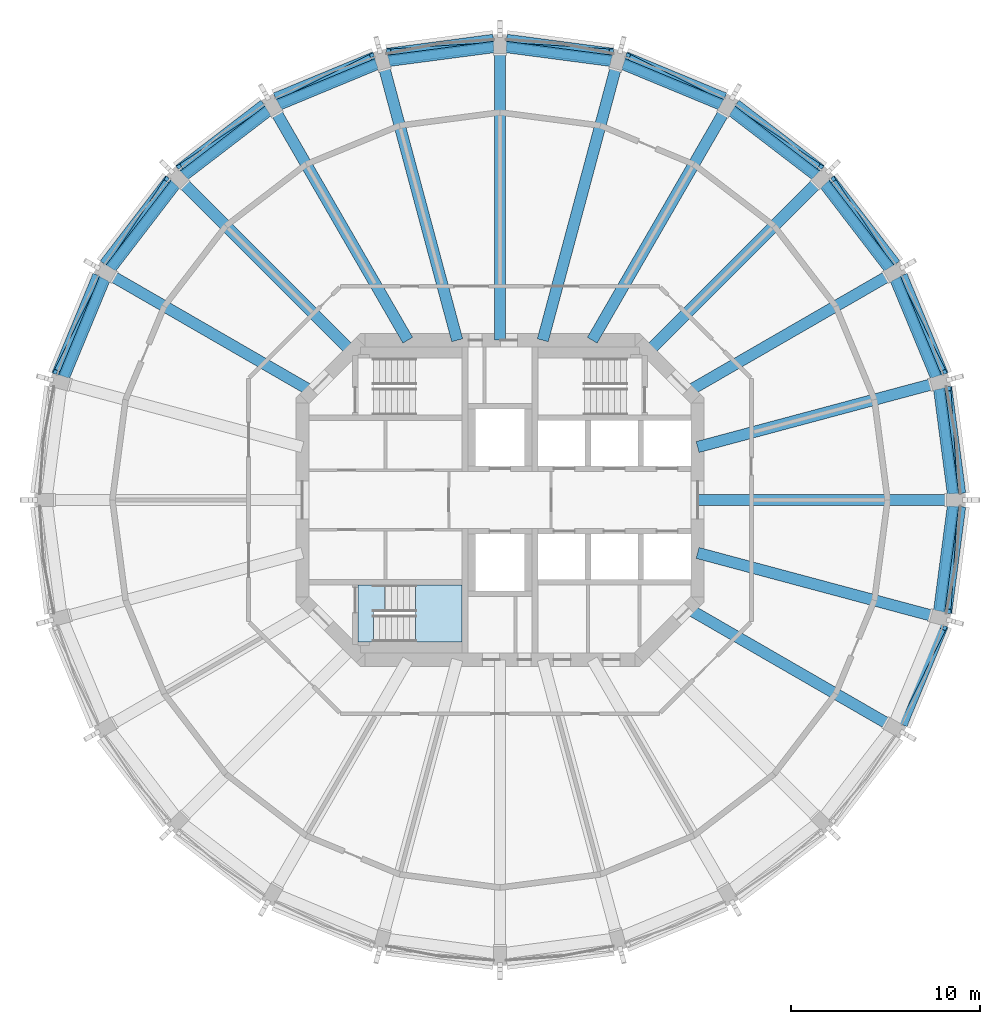
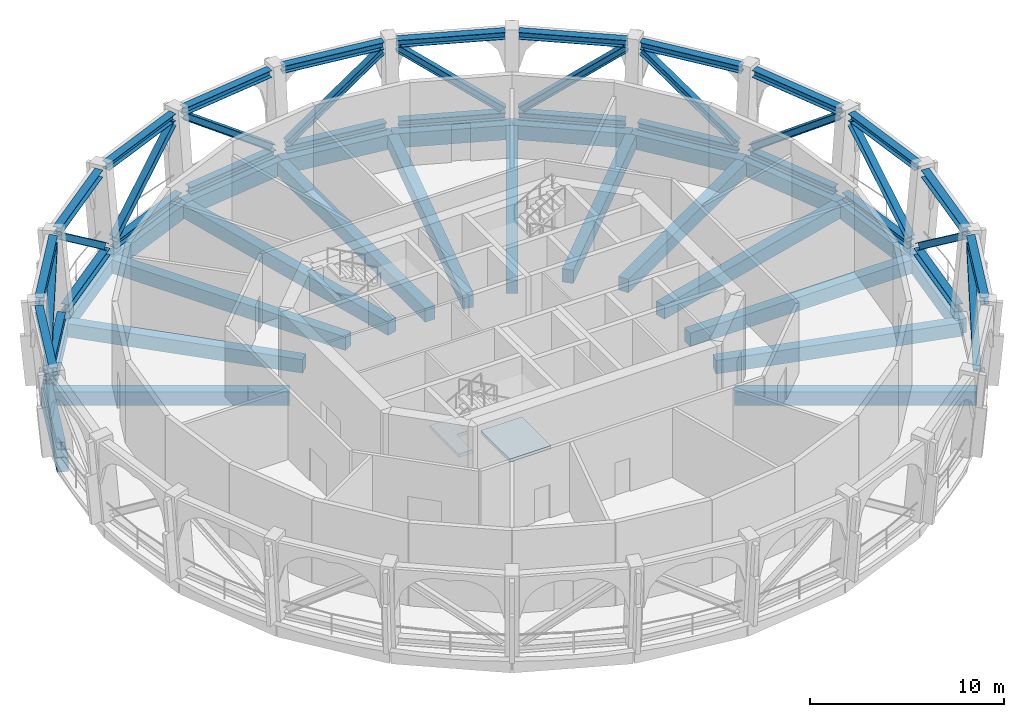
# One storey, part 2 of 9: 38 members, 25 beams, 2 slabs, 1 element without a shape of its own.
"""IFC4 building model written with IfcOpenShell, lengths in metres."""

from ifc_helpers import new_model, si_unit, direction, frame, origin, origin_2d, place, context, subcontext, project, spatial, polyline, rectangle, i_section, outline, extrude, material, layer, layer_set, material_profile, profile_set, type_object, element, aggregate, save


model = new_model("IFC4")

# Units and contexts
model_context = context("Model", 3, precision=1e-05, world=origin(), true_north=direction((0.0, 1.0)))
body_context = subcontext(model_context, "Body", "Model", "MODEL_VIEW")
ifc_project = project(units=[si_unit("LENGTHUNIT", "METRE"), si_unit("AREAUNIT", "SQUARE_METRE"), si_unit("VOLUMEUNIT", "CUBIC_METRE"), si_unit("PLANEANGLEUNIT", "RADIAN"), si_unit("MASSUNIT", "GRAM", prefix="KILO")], contexts=[model_context])

# Site, building, storey
site_placement = place(None, origin())
site = spatial("IfcSite", under=ifc_project, at=site_placement, CompositionType="ELEMENT")
building_placement = place(site_placement, origin())
building = spatial("IfcBuilding", under=site, at=building_placement, Name="Torre Triforio", CompositionType="ELEMENT")
storey_placement = place(building_placement, frame((0.0, 0.0, 248.300048828125)))
storey = spatial("IfcBuildingStorey", under=building, at=storey_placement, Name="L57", CompositionType="ELEMENT", Elevation=248.300048828125)

# Members
ifc_material_1 = material(Name="Steel ASTM A572 Gr 50", Category="steel")
ifc_material_profile_1 = material_profile(ifc_material_1, i_section(OverallWidth=0.449951171875, OverallDepth=0.449951171875, WebThickness=0.01611328125, FlangeThickness=0.0224609375, at=origin_2d()), Name="CS 450x209")
ifc_profile_set_1 = profile_set([ifc_material_profile_1], Name="Steel ASTM A572 Gr 50")
member_type_1 = type_object("IfcMemberType", Name="Belt truss chord CS 450x209", PredefinedType="CHORD", material=ifc_profile_set_1)
member_1_placement = place(storey_placement, frame((23.974365234375, 0.35009765625, 0.224853515625), z_axis=(-0.130528284424, 0.991444585928, 0.0), x_axis=(-0.991444585928, -0.130528284424, 0.0)))
element("IfcMember", 1, at=member_1_placement, inside=storey, type_object=member_type_1, Name="BT.L57.00.CB", PredefinedType="CHORD", context=body_context, shape_type="SweptSolid", body=[
    extrude(i_section(OverallWidth=0.449951171875, OverallDepth=0.449951171875, WebThickness=0.01611328125, FlangeThickness=0.0224609375, at=origin_2d()), origin(), (0.0, 0.0, 1.0), 5.564453125),
])
member_2_placement = place(storey_placement, frame((24.407958984375, 0.35009765625, 4.994873046875), z_axis=(-0.130504566698, 0.991447708188, 0.0), x_axis=(-0.991447708188, -0.130504566698, 0.0)))
element("IfcMember", 2, at=member_2_placement, inside=storey, type_object=member_type_1, Name="BT.L57.00.CT", PredefinedType="CHORD", context=body_context, shape_type="SweptSolid", body=[
    extrude(i_section(OverallWidth=0.449951171875, OverallDepth=0.449951171875, WebThickness=0.01611328125, FlangeThickness=0.0224609375, at=origin_2d()), origin(), (0.0, 0.0, 1.0), 5.677734375),
])
member_3_placement = place(storey_placement, frame((23.06689453125, 6.543212890625, 0.224853515625), z_axis=(-0.382679875266, 0.923881005902, 0.0), x_axis=(-0.923881005902, -0.382679875266, 0.0)))
element("IfcMember", 3, at=member_3_placement, inside=storey, type_object=member_type_1, Name="BT.L57.01.CB", PredefinedType="CHORD", context=body_context, shape_type="SweptSolid", body=[
    extrude(i_section(OverallWidth=0.449951171875, OverallDepth=0.449951171875, WebThickness=0.01611328125, FlangeThickness=0.0224609375, at=origin_2d()), origin(), (0.0, 0.0, 1.0), 5.564453125),
])
member_4_placement = place(storey_placement, frame((23.48583984375, 6.6552734375, 4.994873046875), z_axis=(-0.382691044292, 0.923876379511, 0.0), x_axis=(-0.923876379511, -0.382691044292, 0.0)))
element("IfcMember", 4, at=member_4_placement, inside=storey, type_object=member_type_1, Name="BT.L57.01.CT", PredefinedType="CHORD", context=body_context, shape_type="SweptSolid", body=[
    extrude(i_section(OverallWidth=0.449951171875, OverallDepth=0.449951171875, WebThickness=0.01611328125, FlangeThickness=0.0224609375, at=origin_2d()), origin(), (0.0, 0.0, 1.0), 5.677734375),
])
member_5_placement = place(storey_placement, frame((20.58740234375, 12.290283203125, 0.224853515625), z_axis=(-0.608745580312, 0.793365501173, 0.0), x_axis=(-0.793365501173, -0.608745580312, 0.0)))
element("IfcMember", 5, at=member_5_placement, inside=storey, type_object=member_type_1, Name="BT.L57.02.CB", PredefinedType="CHORD", context=body_context, shape_type="SweptSolid", body=[
    extrude(i_section(OverallWidth=0.449951171875, OverallDepth=0.449951171875, WebThickness=0.01611328125, FlangeThickness=0.0224609375, at=origin_2d()), origin(), (0.0, 0.0, 1.0), 5.564697265625),
])
member_6_placement = place(storey_placement, frame((20.962890625, 12.507080078125, 4.994873046875), z_axis=(-0.608756478072, 0.793357139254, 0.0), x_axis=(-0.793357139254, -0.608756478072, 0.0)))
element("IfcMember", 6, at=member_6_placement, inside=storey, type_object=member_type_1, Name="BT.L57.02.CT", PredefinedType="CHORD", context=body_context, shape_type="SweptSolid", body=[
    extrude(i_section(OverallWidth=0.449951171875, OverallDepth=0.449951171875, WebThickness=0.01611328125, FlangeThickness=0.0224609375, at=origin_2d()), origin(), (0.0, 0.0, 1.0), 5.677734375),
])
member_7_placement = place(storey_placement, frame((16.705078125, 17.199951171875, 0.224853515625), z_axis=(-0.793365501173, 0.608745580312, 0.0), x_axis=(-0.608745580312, -0.793365501173, 0.0)))
element("IfcMember", 7, at=member_7_placement, inside=storey, type_object=member_type_1, Name="BT.L57.03.CB", PredefinedType="CHORD", context=body_context, shape_type="SweptSolid", body=[
    extrude(i_section(OverallWidth=0.449951171875, OverallDepth=0.449951171875, WebThickness=0.01611328125, FlangeThickness=0.0224609375, at=origin_2d()), origin(), (0.0, 0.0, 1.0), 5.564697265625),
])
member_8_placement = place(storey_placement, frame((17.011474609375, 17.506591796875, 4.994873046875), z_axis=(-0.793357139254, 0.608756478072, 0.0), x_axis=(-0.608756478072, -0.793357139254, 0.0)))
element("IfcMember", 8, at=member_8_placement, inside=storey, type_object=member_type_1, Name="BT.L57.03.CT", PredefinedType="CHORD", context=body_context, shape_type="SweptSolid", body=[
    extrude(i_section(OverallWidth=0.449951171875, OverallDepth=0.449951171875, WebThickness=0.01611328125, FlangeThickness=0.0224609375, at=origin_2d()), origin(), (0.0, 0.0, 1.0), 5.677734375),
])
member_9_placement = place(storey_placement, frame((11.68408203125, 20.9375, 0.224853515625), z_axis=(-0.923881005902, 0.382679875266, 0.0), x_axis=(-0.382679875266, -0.923881005902, 0.0)))
element("IfcMember", 9, at=member_9_placement, inside=storey, type_object=member_type_1, Name="BT.L57.04.CB", PredefinedType="CHORD", context=body_context, shape_type="SweptSolid", body=[
    extrude(i_section(OverallWidth=0.449951171875, OverallDepth=0.449951171875, WebThickness=0.01611328125, FlangeThickness=0.0224609375, at=origin_2d()), origin(), (0.0, 0.0, 1.0), 5.564453125),
])
member_10_placement = place(storey_placement, frame((11.90087890625, 21.31298828125, 4.994873046875), z_axis=(-0.923876379511, 0.382691044292, 0.0), x_axis=(-0.382691044292, -0.923876379511, 0.0)))
element("IfcMember", 10, at=member_10_placement, inside=storey, type_object=member_type_1, Name="BT.L57.04.CT", PredefinedType="CHORD", context=body_context, shape_type="SweptSolid", body=[
    extrude(i_section(OverallWidth=0.449951171875, OverallDepth=0.449951171875, WebThickness=0.01611328125, FlangeThickness=0.0224609375, at=origin_2d()), origin(), (0.0, 0.0, 1.0), 5.677734375),
])
member_11_placement = place(storey_placement, frame((5.866943359375, 23.248046875, 0.224853515625), z_axis=(-0.991444585928, 0.130528284424, 0.0), x_axis=(-0.130528284424, -0.991444585928, 0.0)))
element("IfcMember", 11, at=member_11_placement, inside=storey, type_object=member_type_1, Name="BT.L57.05.CB", PredefinedType="CHORD", context=body_context, shape_type="SweptSolid", body=[
    extrude(i_section(OverallWidth=0.449951171875, OverallDepth=0.449951171875, WebThickness=0.01611328125, FlangeThickness=0.0224609375, at=origin_2d()), origin(), (0.0, 0.0, 1.0), 5.564453125),
])
member_12_placement = place(storey_placement, frame((5.979248046875, 23.6669921875, 4.994873046875), z_axis=(-0.991447708188, 0.130504566698, 0.0), x_axis=(-0.130504566698, -0.991447708188, 0.0)))
element("IfcMember", 12, at=member_12_placement, inside=storey, type_object=member_type_1, Name="BT.L57.05.CT", PredefinedType="CHORD", context=body_context, shape_type="SweptSolid", body=[
    extrude(i_section(OverallWidth=0.449951171875, OverallDepth=0.449951171875, WebThickness=0.01611328125, FlangeThickness=0.0224609375, at=origin_2d()), origin(), (0.0, 0.0, 1.0), 5.677734375),
])
member_13_placement = place(storey_placement, frame((-0.35009765625, 23.974365234375, 0.224853515625), z_axis=(-0.991444585928, -0.130528284424, 0.0), x_axis=(0.130528284424, -0.991444585928, 0.0)))
element("IfcMember", 13, at=member_13_placement, inside=storey, type_object=member_type_1, Name="BT.L57.06.CB", PredefinedType="CHORD", context=body_context, shape_type="SweptSolid", body=[
    extrude(i_section(OverallWidth=0.449951171875, OverallDepth=0.449951171875, WebThickness=0.01611328125, FlangeThickness=0.0224609375, at=origin_2d()), origin(), (0.0, 0.0, 1.0), 5.564453125),
])
member_14_placement = place(storey_placement, frame((-0.35009765625, 24.407958984375, 4.994873046875), z_axis=(-0.991447708188, -0.130504566698, 0.0), x_axis=(0.130504566698, -0.991447708188, 0.0)))
element("IfcMember", 14, at=member_14_placement, inside=storey, type_object=member_type_1, Name="BT.L57.06.CT", PredefinedType="CHORD", context=body_context, shape_type="SweptSolid", body=[
    extrude(i_section(OverallWidth=0.449951171875, OverallDepth=0.449951171875, WebThickness=0.01611328125, FlangeThickness=0.0224609375, at=origin_2d()), origin(), (0.0, 0.0, 1.0), 5.677734375),
])
member_15_placement = place(storey_placement, frame((-6.543212890625, 23.06689453125, 0.224853515625), z_axis=(-0.923881005902, -0.382679875266, 0.0), x_axis=(0.382679875266, -0.923881005902, 0.0)))
element("IfcMember", 15, at=member_15_placement, inside=storey, type_object=member_type_1, Name="BT.L57.07.CB", PredefinedType="CHORD", context=body_context, shape_type="SweptSolid", body=[
    extrude(i_section(OverallWidth=0.449951171875, OverallDepth=0.449951171875, WebThickness=0.01611328125, FlangeThickness=0.0224609375, at=origin_2d()), origin(), (0.0, 0.0, 1.0), 5.564453125),
])
member_16_placement = place(storey_placement, frame((-6.6552734375, 23.48583984375, 4.994873046875), z_axis=(-0.923876379511, -0.382691044292, 0.0), x_axis=(0.382691044292, -0.923876379511, 0.0)))
element("IfcMember", 16, at=member_16_placement, inside=storey, type_object=member_type_1, Name="BT.L57.07.CT", PredefinedType="CHORD", context=body_context, shape_type="SweptSolid", body=[
    extrude(i_section(OverallWidth=0.449951171875, OverallDepth=0.449951171875, WebThickness=0.01611328125, FlangeThickness=0.0224609375, at=origin_2d()), origin(), (0.0, 0.0, 1.0), 5.677734375),
])
member_17_placement = place(storey_placement, frame((-12.290283203125, 20.58740234375, 0.224853515625), z_axis=(-0.793365501173, -0.608745580312, 0.0), x_axis=(0.608745580312, -0.793365501173, 0.0)))
element("IfcMember", 17, at=member_17_placement, inside=storey, type_object=member_type_1, Name="BT.L57.08.CB", PredefinedType="CHORD", context=body_context, shape_type="SweptSolid", body=[
    extrude(i_section(OverallWidth=0.449951171875, OverallDepth=0.449951171875, WebThickness=0.01611328125, FlangeThickness=0.0224609375, at=origin_2d()), origin(), (0.0, 0.0, 1.0), 5.564697265625),
])
member_18_placement = place(storey_placement, frame((-12.507080078125, 20.962890625, 4.994873046875), z_axis=(-0.793357139254, -0.608756478072, 0.0), x_axis=(0.608756478072, -0.793357139254, 0.0)))
element("IfcMember", 18, at=member_18_placement, inside=storey, type_object=member_type_1, Name="BT.L57.08.CT", PredefinedType="CHORD", context=body_context, shape_type="SweptSolid", body=[
    extrude(i_section(OverallWidth=0.449951171875, OverallDepth=0.449951171875, WebThickness=0.01611328125, FlangeThickness=0.0224609375, at=origin_2d()), origin(), (0.0, 0.0, 1.0), 5.677734375),
])
member_19_placement = place(storey_placement, frame((-17.199951171875, 16.705078125, 0.224853515625), z_axis=(-0.608745580312, -0.793365501173, 0.0), x_axis=(0.793365501173, -0.608745580312, 0.0)))
element("IfcMember", 19, at=member_19_placement, inside=storey, type_object=member_type_1, Name="BT.L57.09.CB", PredefinedType="CHORD", context=body_context, shape_type="SweptSolid", body=[
    extrude(i_section(OverallWidth=0.449951171875, OverallDepth=0.449951171875, WebThickness=0.01611328125, FlangeThickness=0.0224609375, at=origin_2d()), origin(), (0.0, 0.0, 1.0), 5.564697265625),
])
member_20_placement = place(storey_placement, frame((-17.506591796875, 17.011474609375, 4.994873046875), z_axis=(-0.608756478072, -0.793357139254, 0.0), x_axis=(0.793357139254, -0.608756478072, 0.0)))
element("IfcMember", 20, at=member_20_placement, inside=storey, type_object=member_type_1, Name="BT.L57.09.CT", PredefinedType="CHORD", context=body_context, shape_type="SweptSolid", body=[
    extrude(i_section(OverallWidth=0.449951171875, OverallDepth=0.449951171875, WebThickness=0.01611328125, FlangeThickness=0.0224609375, at=origin_2d()), origin(), (0.0, 0.0, 1.0), 5.677734375),
])
member_21_placement = place(storey_placement, frame((-20.9375, 11.68408203125, 0.224853515625), z_axis=(-0.382679875266, -0.923881005902, 0.0), x_axis=(0.923881005902, -0.382679875266, 0.0)))
element("IfcMember", 21, at=member_21_placement, inside=storey, type_object=member_type_1, Name="BT.L57.10.CB", PredefinedType="CHORD", context=body_context, shape_type="SweptSolid", body=[
    extrude(i_section(OverallWidth=0.449951171875, OverallDepth=0.449951171875, WebThickness=0.01611328125, FlangeThickness=0.0224609375, at=origin_2d()), origin(), (0.0, 0.0, 1.0), 5.564453125),
])
for number, where, z_axis, x_axis, name in (
    (22, (-21.31298828125, 11.90087890625, 4.994873046875), (-0.382691044292, -0.923876379511, 0.0), (0.923876379511, -0.382691044292, 0.0), "BT.L57.10.CT"),
    (23, (21.31298828125, -11.90087890625, 4.994873046875), (0.382691044292, 0.923876379511, 0.0), (-0.923876379511, 0.382691044292, 0.0), "BT.L57.22.CT"),
):
    element("IfcMember", number, at=place(storey_placement, frame(where, z_axis=z_axis, x_axis=x_axis)), inside=storey, type_object=member_type_1, Name=name, PredefinedType="CHORD", context=body_context, shape_type="SweptSolid", body=[
        extrude(i_section(OverallWidth=0.449951171875, OverallDepth=0.449951171875, WebThickness=0.01611328125, FlangeThickness=0.0224609375, at=origin_2d()), origin(), (0.0, 0.0, 1.0), 5.677734375),
    ])
member_22_placement = place(storey_placement, frame((23.248046875, -5.866943359375, 0.224853515625), z_axis=(0.130528284424, 0.991444585928, 0.0), x_axis=(-0.991444585928, 0.130528284424, 0.0)))
element("IfcMember", 24, at=member_22_placement, inside=storey, type_object=member_type_1, Name="BT.L57.23.CB", PredefinedType="CHORD", context=body_context, shape_type="SweptSolid", body=[
    extrude(i_section(OverallWidth=0.449951171875, OverallDepth=0.449951171875, WebThickness=0.01611328125, FlangeThickness=0.0224609375, at=origin_2d()), origin(), (0.0, 0.0, 1.0), 5.564453125),
])
member_23_placement = place(storey_placement, frame((23.6669921875, -5.979248046875, 4.994873046875), z_axis=(0.130504566698, 0.991447708188, 0.0), x_axis=(-0.991447708188, 0.130504566698, 0.0)))
element("IfcMember", 25, at=member_23_placement, inside=storey, type_object=member_type_1, Name="BT.L57.23.CT", PredefinedType="CHORD", context=body_context, shape_type="SweptSolid", body=[
    extrude(i_section(OverallWidth=0.449951171875, OverallDepth=0.449951171875, WebThickness=0.01611328125, FlangeThickness=0.0224609375, at=origin_2d()), origin(), (0.0, 0.0, 1.0), 5.677734375),
])
ifc_material_profile_2 = material_profile(ifc_material_1, i_section(OverallWidth=0.39990234375, OverallDepth=0.39990234375, WebThickness=0.01611328125, FlangeThickness=0.01904296875, at=origin_2d()), Name="CS 400x165")
ifc_profile_set_2 = profile_set([ifc_material_profile_2], Name="Steel ASTM A572 Gr 50")
member_type_2 = type_object("IfcMemberType", Name="Belt truss diagonal CS 400x165", PredefinedType="BRACE", material=ifc_profile_set_2)
for number, where, z_axis, x_axis, name in (
    (26, (23.99267578125, 0.43994140625, 0.556396484375), (-0.050369616876, 0.797578556996, 0.601108432079), (-0.998011783612, -0.063027611183, 0.0), "BT.L57.00.D"),
    (27, (23.422119140625, 6.729736328125, 4.65869140625), (-0.355163982824, 0.715908705104, -0.601110032574), (-0.895819469694, -0.444418133876, 0.0), "BT.L57.01.D"),
):
    element("IfcMember", number, at=place(storey_placement, frame(where, z_axis=z_axis, x_axis=x_axis)), inside=storey, type_object=member_type_2, Name=name, PredefinedType="BRACE", context=body_context, shape_type="SweptSolid", body=[
        extrude(i_section(OverallWidth=0.39990234375, OverallDepth=0.39990234375, WebThickness=0.01611328125, FlangeThickness=0.01904296875, at=origin_2d()), origin(), (0.0, 0.0, 1.0), 6.824462890625),
    ])
for number, where, z_axis, x_axis, name in (
    (28, (20.558349609375, 12.377197265625, 0.556396484375), (-0.442404415832, 0.665556251035, 0.60109334513), (-0.832800159666, -0.553573747626, 0.0), "BT.L57.02.D"),
    (29, (16.91943359375, 17.5390625, 4.65869140625), (-0.665556251035, 0.442404415832, -0.60109334513), (-0.553573747626, -0.832800159666, 0.0), "BT.L57.03.D"),
):
    element("IfcMember", number, at=place(storey_placement, frame(where, z_axis=z_axis, x_axis=x_axis)), inside=storey, type_object=member_type_2, Name=name, PredefinedType="BRACE", context=body_context, shape_type="SweptSolid", body=[
        extrude(i_section(OverallWidth=0.39990234375, OverallDepth=0.39990234375, WebThickness=0.01611328125, FlangeThickness=0.01904296875, at=origin_2d()), origin(), (0.0, 0.0, 1.0), 6.82470703125),
    ])
for number, where, z_axis, x_axis, name in (
    (30, (11.615478515625, 20.998291015625, 0.556396484375), (-0.715908705104, 0.355163982824, 0.601110032574), (-0.444418133876, -0.895819469694, 0.0), "BT.L57.04.D"),
    (31, (5.883056640625, 23.64892578125, 4.65869140625), (-0.797578556996, 0.050369616876, -0.601108432079), (-0.063027611183, -0.998011783612, 0.0), "BT.L57.05.D"),
    (32, (-0.43994140625, 23.99267578125, 0.556396484375), (-0.797578556996, -0.050369616876, 0.601108432079), (0.063027611183, -0.998011783612, 0.0), "BT.L57.06.D"),
    (33, (-6.729736328125, 23.422119140625, 4.65869140625), (-0.715908705104, -0.355163982824, -0.601110032574), (0.444418133876, -0.895819469694, 0.0), "BT.L57.07.D"),
):
    element("IfcMember", number, at=place(storey_placement, frame(where, z_axis=z_axis, x_axis=x_axis)), inside=storey, type_object=member_type_2, Name=name, PredefinedType="BRACE", context=body_context, shape_type="SweptSolid", body=[
        extrude(i_section(OverallWidth=0.39990234375, OverallDepth=0.39990234375, WebThickness=0.01611328125, FlangeThickness=0.01904296875, at=origin_2d()), origin(), (0.0, 0.0, 1.0), 6.824462890625),
    ])
for number, where, z_axis, x_axis, name in (
    (34, (-12.377197265625, 20.558349609375, 0.556396484375), (-0.665556251035, -0.442404415832, 0.60109334513), (0.553573747626, -0.832800159666, 0.0), "BT.L57.08.D"),
    (35, (-17.5390625, 16.91943359375, 4.65869140625), (-0.442404415832, -0.665556251035, -0.60109334513), (0.832800159666, -0.553573747626, 0.0), "BT.L57.09.D"),
):
    element("IfcMember", number, at=place(storey_placement, frame(where, z_axis=z_axis, x_axis=x_axis)), inside=storey, type_object=member_type_2, Name=name, PredefinedType="BRACE", context=body_context, shape_type="SweptSolid", body=[
        extrude(i_section(OverallWidth=0.39990234375, OverallDepth=0.39990234375, WebThickness=0.01611328125, FlangeThickness=0.01904296875, at=origin_2d()), origin(), (0.0, 0.0, 1.0), 6.82470703125),
    ])
for number, where, z_axis, x_axis, name in (
    (36, (-20.998291015625, 11.615478515625, 0.556396484375), (-0.355163982824, -0.715908705104, 0.601110032574), (0.895819469694, -0.444418133876, 0.0), "BT.L57.10.D"),
    (37, (20.998291015625, -11.615478515625, 0.556396484375), (0.355163982824, 0.715908705104, 0.601110032574), (-0.895819469694, 0.444418133876, 0.0), "BT.L57.22.D"),
    (38, (23.64892578125, -5.883056640625, 4.65869140625), (0.050369616876, 0.797578556996, -0.601108432079), (-0.998011783612, 0.063027611183, 0.0), "BT.L57.23.D"),
):
    element("IfcMember", number, at=place(storey_placement, frame(where, z_axis=z_axis, x_axis=x_axis)), inside=storey, type_object=member_type_2, Name=name, PredefinedType="BRACE", context=body_context, shape_type="SweptSolid", body=[
        extrude(i_section(OverallWidth=0.39990234375, OverallDepth=0.39990234375, WebThickness=0.01611328125, FlangeThickness=0.01904296875, at=origin_2d()), origin(), (0.0, 0.0, 1.0), 6.824462890625),
    ])

# Beams
ifc_material_2 = material(Name="Concrete C40", Category="concrete")
ifc_material_profile_3 = material_profile(ifc_material_2, rectangle(XDim=0.60009765625, YDim=0.85009765625, at=origin_2d()), Name="RC 600x850")
ifc_profile_set_3 = profile_set([ifc_material_profile_3], Name="Concrete C40")
beam_type_1 = type_object("IfcBeamType", Name="Radial beam RC 600x850 C40", PredefinedType="BEAM", material=ifc_profile_set_3)
beam_1_placement = place(storey_placement, frame((10.449951171875, 0.0, -0.705078125), z_axis=(1.0, 0.0, 0.0), x_axis=(0.0, 1.0, 0.0)))
element("IfcBeam", 39, at=beam_1_placement, inside=storey, type_object=beam_type_1, Name="BM.R.L57.00", PredefinedType="BEAM", context=body_context, shape_type="SweptSolid", body=[
    extrude(rectangle(XDim=0.60009765625, YDim=0.85009765625, at=origin_2d()), origin(), (0.0, 0.0, 1.0), 13.550048828125),
])
beam_2_placement = place(storey_placement, frame((10.449951171875, 2.800048828125, -0.705078125), z_axis=(0.965924985096, 0.258822184459, 0.0), x_axis=(-0.258822184459, 0.965924985096, 0.0)))
element("IfcBeam", 40, at=beam_2_placement, inside=storey, type_object=beam_type_1, Name="BM.R.L57.01", PredefinedType="BEAM", context=body_context, shape_type="SweptSolid", body=[
    extrude(rectangle(XDim=0.60009765625, YDim=0.85009765625, at=origin_2d()), origin(), (0.0, 0.0, 1.0), 13.181396484375),
])
beam_3_placement = place(storey_placement, frame((9.9501953125, 5.744873046875, -0.705078125), z_axis=(0.866030898433, 0.499990482869, 0.0), x_axis=(-0.499990482869, 0.866030898433, 0.0)))
element("IfcBeam", 41, at=beam_3_placement, inside=storey, type_object=beam_type_1, Name="BM.R.L57.02", PredefinedType="BEAM", context=body_context, shape_type="SweptSolid", body=[
    extrude(rectangle(XDim=0.60009765625, YDim=0.85009765625, at=origin_2d()), origin(), (0.0, 0.0, 1.0), 12.510498046875),
])
beam_4_placement = place(storey_placement, frame((7.847412109375, 7.847412109375, -0.705078125), z_axis=(0.707106781187, 0.707106781187, 0.0), x_axis=(-0.707106781187, 0.707106781187, 0.0)))
element("IfcBeam", 42, at=beam_4_placement, inside=storey, type_object=beam_type_1, Name="BM.R.L57.03", PredefinedType="BEAM", context=body_context, shape_type="SweptSolid", body=[
    extrude(rectangle(XDim=0.60009765625, YDim=0.85009765625, at=origin_2d()), origin(), (0.0, 0.0, 1.0), 12.90185546875),
])
beam_5_placement = place(storey_placement, frame((4.878662109375, 8.449951171875, -0.705078125), z_axis=(0.499993987895, 0.866028874847, 0.0), x_axis=(-0.866028874847, 0.499993987895, 0.0)))
element("IfcBeam", 43, at=beam_5_placement, inside=storey, type_object=beam_type_1, Name="BM.R.L57.04", PredefinedType="BEAM", context=body_context, shape_type="SweptSolid", body=[
    extrude(rectangle(XDim=0.60009765625, YDim=0.85009765625, at=origin_2d()), origin(), (0.0, 0.0, 1.0), 14.242919921875),
])
beam_6_placement = place(storey_placement, frame((2.26416015625, 8.449951171875, -0.705078125), z_axis=(0.258821164091, 0.965925258505, 0.0), x_axis=(-0.965925258505, 0.258821164091, 0.0)))
element("IfcBeam", 44, at=beam_6_placement, inside=storey, type_object=beam_type_1, Name="BM.R.L57.05", PredefinedType="BEAM", context=body_context, shape_type="SweptSolid", body=[
    extrude(rectangle(XDim=0.60009765625, YDim=0.85009765625, at=origin_2d()), origin(), (0.0, 0.0, 1.0), 15.251953125),
])
beam_7_placement = place(storey_placement, frame((0.0, 8.449951171875, -0.705078125), z_axis=(0.0, 1.0, 0.0), x_axis=(-1.0, 0.0, 0.0)))
element("IfcBeam", 45, at=beam_7_placement, inside=storey, type_object=beam_type_1, Name="BM.R.L57.06", PredefinedType="BEAM", context=body_context, shape_type="SweptSolid", body=[
    extrude(rectangle(XDim=0.60009765625, YDim=0.85009765625, at=origin_2d()), origin(), (0.0, 0.0, 1.0), 15.550048828125),
])
beam_8_placement = place(storey_placement, frame((-2.26416015625, 8.449951171875, -0.705078125), z_axis=(-0.258821164091, 0.965925258505, 0.0), x_axis=(-0.965925258505, -0.258821164091, 0.0)))
element("IfcBeam", 46, at=beam_8_placement, inside=storey, type_object=beam_type_1, Name="BM.R.L57.07", PredefinedType="BEAM", context=body_context, shape_type="SweptSolid", body=[
    extrude(rectangle(XDim=0.60009765625, YDim=0.85009765625, at=origin_2d()), origin(), (0.0, 0.0, 1.0), 15.251953125),
])
beam_9_placement = place(storey_placement, frame((-4.878662109375, 8.449951171875, -0.705078125), z_axis=(-0.499993987895, 0.866028874847, 0.0), x_axis=(-0.866028874847, -0.499993987895, 0.0)))
element("IfcBeam", 47, at=beam_9_placement, inside=storey, type_object=beam_type_1, Name="BM.R.L57.08", PredefinedType="BEAM", context=body_context, shape_type="SweptSolid", body=[
    extrude(rectangle(XDim=0.60009765625, YDim=0.85009765625, at=origin_2d()), origin(), (0.0, 0.0, 1.0), 14.242919921875),
])
beam_10_placement = place(storey_placement, frame((-7.847412109375, 7.847412109375, -0.705078125), z_axis=(-0.707106781187, 0.707106781187, 0.0), x_axis=(-0.707106781187, -0.707106781187, 0.0)))
element("IfcBeam", 48, at=beam_10_placement, inside=storey, type_object=beam_type_1, Name="BM.R.L57.09", PredefinedType="BEAM", context=body_context, shape_type="SweptSolid", body=[
    extrude(rectangle(XDim=0.60009765625, YDim=0.85009765625, at=origin_2d()), origin(), (0.0, 0.0, 1.0), 12.90185546875),
])
for number, where, z_axis, x_axis, name in (
    (49, (-9.9501953125, 5.744873046875, -0.705078125), (-0.866030898433, 0.499990482869, 0.0), (-0.499990482869, -0.866030898433, 0.0), "BM.R.L57.10"),
    (50, (9.9501953125, -5.744873046875, -0.705078125), (0.866030898433, -0.499990482869, 0.0), (0.499990482869, 0.866030898433, 0.0), "BM.R.L57.22"),
):
    element("IfcBeam", number, at=place(storey_placement, frame(where, z_axis=z_axis, x_axis=x_axis)), inside=storey, type_object=beam_type_1, Name=name, PredefinedType="BEAM", context=body_context, shape_type="SweptSolid", body=[
        extrude(rectangle(XDim=0.60009765625, YDim=0.85009765625, at=origin_2d()), origin(), (0.0, 0.0, 1.0), 12.510498046875),
    ])
beam_11_placement = place(storey_placement, frame((10.449951171875, -2.800048828125, -0.705078125), z_axis=(0.965924985096, -0.258822184459, 0.0), x_axis=(0.258822184459, 0.965924985096, 0.0)))
element("IfcBeam", 51, at=beam_11_placement, inside=storey, type_object=beam_type_1, Name="BM.R.L57.23", PredefinedType="BEAM", context=body_context, shape_type="SweptSolid", body=[
    extrude(rectangle(XDim=0.60009765625, YDim=0.85009765625, at=origin_2d()), origin(), (0.0, 0.0, 1.0), 13.181396484375),
])
ifc_material_profile_4 = material_profile(ifc_material_2, rectangle(XDim=0.60009765625, YDim=0.89990234375, at=origin_2d()), Name="RC 600x900")
ifc_profile_set_4 = profile_set([ifc_material_profile_4], Name="Concrete C40")
beam_type_2 = type_object("IfcBeamType", Name="Spandrel beam RC 600x900 C40", PredefinedType="SPANDREL", material=ifc_profile_set_4)
beam_12_placement = place(storey_placement, frame((24.0, 0.0, -0.72998046875), z_axis=(-0.130540192224, 0.991443018138, 0.0), x_axis=(-0.991443018138, -0.130540192224, 0.0)))
element("IfcBeam", 52, at=beam_12_placement, inside=storey, type_object=beam_type_2, Name="BM.S.L57.00", PredefinedType="SPANDREL", context=body_context, shape_type="SweptSolid", body=[
    extrude(rectangle(XDim=0.60009765625, YDim=0.89990234375, at=origin_2d()), origin(), (0.0, 0.0, 1.0), 6.265380859375),
])
beam_13_placement = place(storey_placement, frame((23.18212890625, 6.211669921875, -0.72998046875), z_axis=(-0.382663829839, 0.9238876519, 0.0), x_axis=(-0.9238876519, -0.382663829839, 0.0)))
element("IfcBeam", 53, at=beam_13_placement, inside=storey, type_object=beam_type_2, Name="BM.S.L57.01", PredefinedType="SPANDREL", context=body_context, shape_type="SweptSolid", body=[
    extrude(rectangle(XDim=0.60009765625, YDim=0.89990234375, at=origin_2d()), origin(), (0.0, 0.0, 1.0), 6.26513671875),
])
for number, where, z_axis, x_axis, name in (
    (54, (20.78466796875, 12.0, -0.72998046875), (-0.608785706196, 0.79333471116, 0.0), (-0.79333471116, -0.608785706196, 0.0), "BM.S.L57.02"),
    (55, (16.970458984375, 16.970458984375, -0.72998046875), (-0.79333471116, 0.608785706196, 0.0), (-0.608785706196, -0.79333471116, 0.0), "BM.S.L57.03"),
):
    element("IfcBeam", number, at=place(storey_placement, frame(where, z_axis=z_axis, x_axis=x_axis)), inside=storey, type_object=beam_type_2, Name=name, PredefinedType="SPANDREL", context=body_context, shape_type="SweptSolid", body=[
        extrude(rectangle(XDim=0.60009765625, YDim=0.89990234375, at=origin_2d()), origin(), (0.0, 0.0, 1.0), 6.265380859375),
    ])
beam_14_placement = place(storey_placement, frame((12.0, 20.78466796875, -0.72998046875), z_axis=(-0.9238876519, 0.382663829839, 0.0), x_axis=(-0.382663829839, -0.9238876519, 0.0)))
element("IfcBeam", 56, at=beam_14_placement, inside=storey, type_object=beam_type_2, Name="BM.S.L57.04", PredefinedType="SPANDREL", context=body_context, shape_type="SweptSolid", body=[
    extrude(rectangle(XDim=0.60009765625, YDim=0.89990234375, at=origin_2d()), origin(), (0.0, 0.0, 1.0), 6.26513671875),
])
for number, where, z_axis, x_axis, name in (
    (57, (6.211669921875, 23.18212890625, -0.72998046875), (-0.991443018138, 0.130540192224, 0.0), (-0.130540192224, -0.991443018138, 0.0), "BM.S.L57.05"),
    (58, (0.0, 24.0, -0.72998046875), (-0.991443018138, -0.130540192224, 0.0), (0.130540192224, -0.991443018138, 0.0), "BM.S.L57.06"),
):
    element("IfcBeam", number, at=place(storey_placement, frame(where, z_axis=z_axis, x_axis=x_axis)), inside=storey, type_object=beam_type_2, Name=name, PredefinedType="SPANDREL", context=body_context, shape_type="SweptSolid", body=[
        extrude(rectangle(XDim=0.60009765625, YDim=0.89990234375, at=origin_2d()), origin(), (0.0, 0.0, 1.0), 6.265380859375),
    ])
beam_15_placement = place(storey_placement, frame((-6.211669921875, 23.18212890625, -0.72998046875), z_axis=(-0.9238876519, -0.382663829839, 0.0), x_axis=(0.382663829839, -0.9238876519, 0.0)))
element("IfcBeam", 59, at=beam_15_placement, inside=storey, type_object=beam_type_2, Name="BM.S.L57.07", PredefinedType="SPANDREL", context=body_context, shape_type="SweptSolid", body=[
    extrude(rectangle(XDim=0.60009765625, YDim=0.89990234375, at=origin_2d()), origin(), (0.0, 0.0, 1.0), 6.26513671875),
])
for number, where, z_axis, x_axis, name in (
    (60, (-12.0, 20.78466796875, -0.72998046875), (-0.79333471116, -0.608785706196, 0.0), (0.608785706196, -0.79333471116, 0.0), "BM.S.L57.08"),
    (61, (-16.970458984375, 16.970458984375, -0.72998046875), (-0.608785706196, -0.79333471116, 0.0), (0.79333471116, -0.608785706196, 0.0), "BM.S.L57.09"),
):
    element("IfcBeam", number, at=place(storey_placement, frame(where, z_axis=z_axis, x_axis=x_axis)), inside=storey, type_object=beam_type_2, Name=name, PredefinedType="SPANDREL", context=body_context, shape_type="SweptSolid", body=[
        extrude(rectangle(XDim=0.60009765625, YDim=0.89990234375, at=origin_2d()), origin(), (0.0, 0.0, 1.0), 6.265380859375),
    ])
beam_16_placement = place(storey_placement, frame((-20.78466796875, 12.0, -0.72998046875), z_axis=(-0.382663829839, -0.9238876519, 0.0), x_axis=(0.9238876519, -0.382663829839, 0.0)))
element("IfcBeam", 62, at=beam_16_placement, inside=storey, type_object=beam_type_2, Name="BM.S.L57.10", PredefinedType="SPANDREL", context=body_context, shape_type="SweptSolid", body=[
    extrude(rectangle(XDim=0.60009765625, YDim=0.89990234375, at=origin_2d()), origin(), (0.0, 0.0, 1.0), 6.26513671875),
])
beam_17_placement = place(storey_placement, frame((23.18212890625, -6.211669921875, -0.72998046875), z_axis=(0.130540192224, 0.991443018138, 0.0), x_axis=(-0.991443018138, 0.130540192224, 0.0)))
element("IfcBeam", 63, at=beam_17_placement, inside=storey, type_object=beam_type_2, Name="BM.S.L57.23", PredefinedType="SPANDREL", context=body_context, shape_type="SweptSolid", body=[
    extrude(rectangle(XDim=0.60009765625, YDim=0.89990234375, at=origin_2d()), origin(), (0.0, 0.0, 1.0), 6.265380859375),
])

# Stair, slabs
stair_type = type_object("IfcStairType", Name="STAIR DOUBLE RETURN 320 GOING", PredefinedType="DOUBLE_RETURN_STAIR", material=ifc_material_2)
stair_placement = place(storey_placement, origin())
stair = element("IfcStair", 64, at=stair_placement, inside=storey, type_object=stair_type, Name="Exit stair 3", PredefinedType="DOUBLE_RETURN_STAIR")
ifc_layer = layer(ifc_material_2, 0.199951171875)
ifc_layer_set = layer_set([ifc_layer], Name="Concrete C40")
slab_type = type_object("IfcSlabType", Name="STAIR LANDING 200", PredefinedType="LANDING", material=ifc_layer_set)
slab_1_placement = place(storey_placement, frame((0.0, 0.0, 1.175048828125)))
slab_1 = element("IfcSlab", 65, at=slab_1_placement, type_object=slab_type, Name="ST3 landing 1", PredefinedType="LANDING", context=body_context, shape_type="SweptSolid", body=[
    extrude(outline(polyline([(-2.0, -7.5), (-2.0, -4.5), (-4.4599609375, -4.5), (-4.4599609375, -7.5), (-2.0, -7.5)])), origin(), (0.0, 0.0, 1.0), 0.199951171875),
])
slab_2_placement = place(storey_placement, frame((0.0, 0.0, 2.550048828125)))
slab_2 = element("IfcSlab", 66, at=slab_2_placement, type_object=slab_type, Name="ST3 landing 2", PredefinedType="LANDING", context=body_context, shape_type="SweptSolid", body=[
    extrude(outline(polyline([(-6.696044921875, -7.5), (-7.5, -7.5), (-7.5, -4.5), (-6.699951171875, -4.5), (-6.696044921875, -4.5), (-6.10009765625, -4.5), (-6.10009765625, -5.89990234375), (-6.696044921875, -5.89990234375), (-6.696044921875, -7.5)])), origin(), (0.0, 0.0, 1.0), 0.199951171875),
])
aggregate(stair, [slab_1, slab_2])

save(model, "model.ifc")
